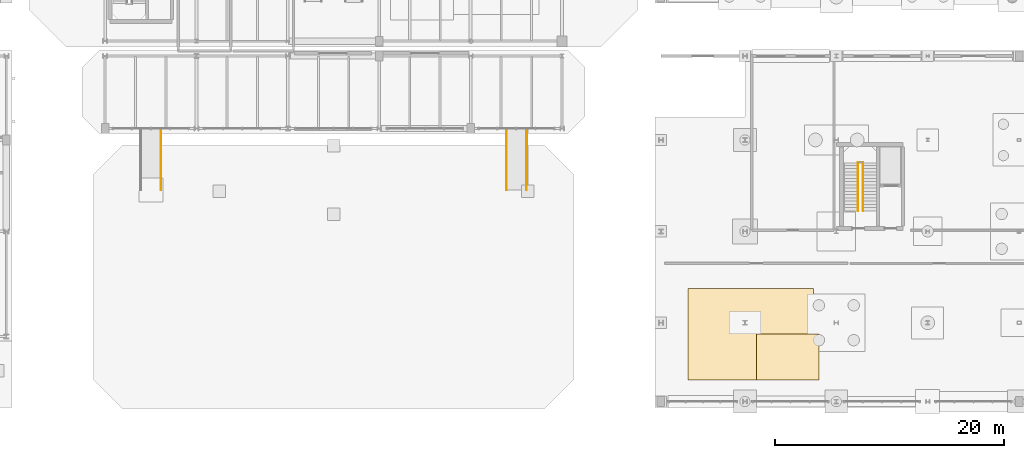
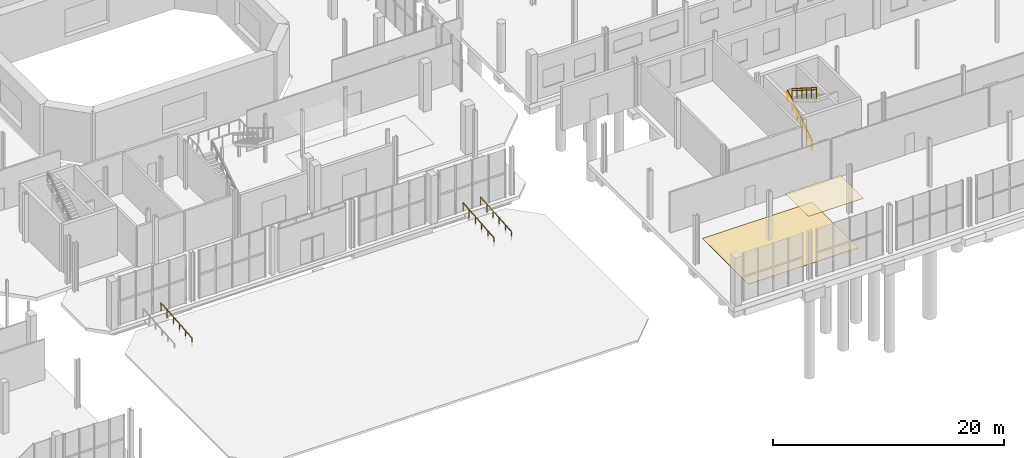
# One storey, part 81 of 87: 7 railings, 2 coverings.
"""IFC4 building model written with IfcOpenShell, lengths in metres."""

from ifc_helpers import new_model, si_unit, direction, frame, origin, origin_2d, place, context, subcontext, project, spatial, rectangle, circle, extrude, material, layer, layer_set, type_object, element, save


model = new_model("IFC4")

# Units and contexts
model_context = context("Model", 3, precision=1e-05, world=origin(), true_north=direction((0.0, 1.0)))
body_context = subcontext(model_context, "Body", "Model", "MODEL_VIEW")
ifc_project = project(units=[si_unit("LENGTHUNIT", "METRE"), si_unit("AREAUNIT", "SQUARE_METRE"), si_unit("VOLUMEUNIT", "CUBIC_METRE"), si_unit("PLANEANGLEUNIT", "RADIAN"), si_unit("MASSUNIT", "GRAM", prefix="KILO")], contexts=[model_context])

# Site, building, storey
site_placement = place(None, origin())
site = spatial("IfcSite", under=ifc_project, at=site_placement, CompositionType="ELEMENT")
building_placement = place(site_placement, origin())
building = spatial("IfcBuilding", under=site, at=building_placement, Name="Brisemont Oceanarium", CompositionType="ELEMENT")
storey_placement = place(building_placement, origin())
storey = spatial("IfcBuildingStorey", under=building, at=storey_placement, Name="L00", CompositionType="ELEMENT", Elevation=0.0)

# Coverings
ifc_material_1 = material(Name="Perforated Marine-Grade Acoustic Baffle Ceiling")
ifc_layer_1 = layer(ifc_material_1, 0.0400390625)
ifc_layer_set_1 = layer_set([ifc_layer_1], Name="Perforated Marine-Grade Acoustic Baffle Ceiling")
covering_type_1 = type_object("IfcCoveringType", Name="COV-CEIL-AC", PredefinedType="CEILING", material=ifc_layer_set_1)
covering_1_placement = place(storey_placement, frame((123.75, 5.0, 5.06005859375), z_axis=(0.0, 0.0, 1.0), x_axis=(1.0, 0.0, 0.0)))
element("IfcCovering", 1, at=covering_1_placement, inside=storey, type_object=covering_type_1, Name="Acoustic baffle ceiling CLG-V3-L00", PredefinedType="CEILING", context=body_context, shape_type="SweptSolid", body=[
    extrude(rectangle(XDim=5.5, YDim=4.0, at=origin_2d()), origin(), (0.0, 0.0, 1.0), 0.0400390625),
])
ifc_material_2 = material(Name="Epoxy-Bound Recycled Glass Marine Terrazzo", Category="glass")
ifc_layer_2 = layer(ifc_material_2, 0.02490234375)
ifc_layer_set_2 = layer_set([ifc_layer_2], Name="Epoxy-Bound Recycled Glass Marine Terrazzo")
covering_type_2 = type_object("IfcCoveringType", Name="COV-FLR-TER", PredefinedType="FLOORING", material=ifc_layer_set_2)
covering_2_placement = place(storey_placement, frame((120.5, 7.0, 0.0), z_axis=(0.0, 0.0, 1.0), x_axis=(1.0, 0.0, 0.0)))
element("IfcCovering", 2, at=covering_2_placement, inside=storey, type_object=covering_type_2, Name="Marine terrazzo flooring FLG-V3-FOYER", PredefinedType="FLOORING", context=body_context, shape_type="SweptSolid", body=[
    extrude(rectangle(XDim=11.0, YDim=8.0, at=origin_2d()), origin(), (0.0, 0.0, 1.0), 0.02490234375),
])

# Railings
ifc_material_3 = material(Name="Duplex Stainless Steel EN 1.4462", Category="steel")
railing_type_1 = type_object("IfcRailingType", Name="RLG-GUARD-1120", PredefinedType="GUARDRAIL", material=ifc_material_3)
railing_1_placement = place(storey_placement, frame((129.909912109375, 17.800048828125, 0.0)))
element("IfcRailing", 3, at=railing_1_placement, inside=storey, type_object=railing_type_1, Name="ST-04 L00 F1 well guard", PredefinedType="GUARDRAIL", context=body_context, shape_type="SweptSolid", body=[
    extrude(circle(Radius=0.02392578125, at=origin_2d()), frame((0.0, 0.0, 1.09619140625), z_axis=(0.0, 0.84407452441, 0.536225882666), x_axis=(-1.0, 0.0, 0.0)), (0.0, 0.0, 1.0), 5.03515625),
    extrude(circle(Radius=0.02099609375, at=origin_2d()), origin(), (0.0, 0.0, 1.0), 1.072021484375),
    extrude(circle(Radius=0.02099609375, at=origin_2d()), frame((0.0, 0.85009765625, 0.5400390625)), (0.0, 0.0, 1.0), 1.072021484375),
    extrude(circle(Radius=0.02099609375, at=origin_2d()), frame((0.0, 1.699951171875, 1.080078125)), (0.0, 0.0, 1.0), 1.072021484375),
    extrude(circle(Radius=0.02099609375, at=origin_2d()), frame((0.0, 2.550048828125, 1.619873046875)), (0.0, 0.0, 1.0), 1.072021484375),
    extrude(circle(Radius=0.02099609375, at=origin_2d()), frame((0.0, 3.39990234375, 2.159912109375)), (0.0, 0.0, 1.0), 1.072021484375),
    extrude(circle(Radius=0.02099609375, at=origin_2d()), frame((0.0, 4.25, 2.699951171875)), (0.0, 0.0, 1.0), 1.072021484375),
])
railing_2_placement = place(storey_placement, frame((130.35009765625, 22.050048828125, 2.699951171875)))
element("IfcRailing", 4, at=railing_2_placement, inside=storey, type_object=railing_type_1, Name="ST-04 L00 F2 well guard", PredefinedType="GUARDRAIL", context=body_context, shape_type="SweptSolid", body=[
    extrude(circle(Radius=0.02392578125, at=origin_2d()), frame((0.0, 0.0, 1.09619140625), z_axis=(0.0, -0.84407452441, 0.536225882666), x_axis=(1.0, 0.0, 0.0)), (0.0, 0.0, 1.0), 5.03515625),
    extrude(circle(Radius=0.02099609375, at=origin_2d()), origin(), (0.0, 0.0, 1.0), 1.072021484375),
    extrude(circle(Radius=0.02099609375, at=origin_2d()), frame((0.0, -0.85009765625, 0.5400390625)), (0.0, 0.0, 1.0), 1.072021484375),
    extrude(circle(Radius=0.02099609375, at=origin_2d()), frame((0.0, -1.699951171875, 1.080078125)), (0.0, 0.0, 1.0), 1.072021484375),
    extrude(circle(Radius=0.02099609375, at=origin_2d()), frame((0.0, -2.550048828125, 1.619873046875)), (0.0, 0.0, 1.0), 1.072021484375),
    extrude(circle(Radius=0.02099609375, at=origin_2d()), frame((0.0, -3.39990234375, 2.159912109375)), (0.0, 0.0, 1.0), 1.072021484375),
    extrude(circle(Radius=0.02099609375, at=origin_2d()), frame((0.0, -4.25, 2.699951171875)), (0.0, 0.0, 1.0), 1.072021484375),
])
ifc_material_4 = material(Name="Duplex Stainless Steel EN 1.4462", Category="steel")
railing_type_2 = type_object("IfcRailingType", Name="RLG-HAND-900", PredefinedType="HANDRAIL", material=ifc_material_4)
railing_3_placement = place(storey_placement, frame((129.909912109375, 17.800048828125, 0.0)))
element("IfcRailing", 5, at=railing_3_placement, inside=storey, type_object=railing_type_2, Name="ST-04 L00 F1 handrail", PredefinedType="HANDRAIL", context=body_context, shape_type="SweptSolid", body=[
    extrude(circle(Radius=0.02392578125, at=origin_2d()), frame((0.0, 0.0, 0.8759765625), z_axis=(0.0, 0.84407452441, 0.536225882666), x_axis=(-1.0, 0.0, 0.0)), (0.0, 0.0, 1.0), 5.03515625),
    extrude(circle(Radius=0.02099609375, at=origin_2d()), origin(), (0.0, 0.0, 1.0), 0.851806640625),
    extrude(circle(Radius=0.02099609375, at=origin_2d()), frame((0.0, 0.85009765625, 0.5400390625)), (0.0, 0.0, 1.0), 0.851806640625),
    extrude(circle(Radius=0.02099609375, at=origin_2d()), frame((0.0, 1.699951171875, 1.080078125)), (0.0, 0.0, 1.0), 0.851806640625),
    extrude(circle(Radius=0.02099609375, at=origin_2d()), frame((0.0, 2.550048828125, 1.619873046875)), (0.0, 0.0, 1.0), 0.851806640625),
    extrude(circle(Radius=0.02099609375, at=origin_2d()), frame((0.0, 3.39990234375, 2.159912109375)), (0.0, 0.0, 1.0), 0.851806640625),
    extrude(circle(Radius=0.02099609375, at=origin_2d()), frame((0.0, 4.25, 2.699951171875)), (0.0, 0.0, 1.0), 0.851806640625),
])
railing_4_placement = place(storey_placement, frame((130.35009765625, 22.050048828125, 2.699951171875)))
element("IfcRailing", 6, at=railing_4_placement, inside=storey, type_object=railing_type_2, Name="ST-04 L00 F2 handrail", PredefinedType="HANDRAIL", context=body_context, shape_type="SweptSolid", body=[
    extrude(circle(Radius=0.02392578125, at=origin_2d()), frame((0.0, 0.0, 0.8759765625), z_axis=(0.0, -0.84407452441, 0.536225882666), x_axis=(1.0, 0.0, 0.0)), (0.0, 0.0, 1.0), 5.03515625),
    extrude(circle(Radius=0.02099609375, at=origin_2d()), origin(), (0.0, 0.0, 1.0), 0.851806640625),
    extrude(circle(Radius=0.02099609375, at=origin_2d()), frame((0.0, -0.85009765625, 0.5400390625)), (0.0, 0.0, 1.0), 0.851806640625),
    extrude(circle(Radius=0.02099609375, at=origin_2d()), frame((0.0, -1.699951171875, 1.080078125)), (0.0, 0.0, 1.0), 0.851806640625),
    extrude(circle(Radius=0.02099609375, at=origin_2d()), frame((0.0, -2.550048828125, 1.619873046875)), (0.0, 0.0, 1.0), 0.851806640625),
    extrude(circle(Radius=0.02099609375, at=origin_2d()), frame((0.0, -3.39990234375, 2.159912109375)), (0.0, 0.0, 1.0), 0.851806640625),
    extrude(circle(Radius=0.02099609375, at=origin_2d()), frame((0.0, -4.25, 2.699951171875)), (0.0, 0.0, 1.0), 0.851806640625),
])
for number, where, name in (
    (7, (68.8798828125, 19.60009765625, -0.449951171875), "Ramp RMP-02 handrail L"),
    (8, (100.8798828125, 19.60009765625, -0.449951171875), "Ramp RMP-03 handrail L"),
    (9, (99.1201171875, 19.60009765625, -0.449951171875), "Ramp RMP-03 handrail R"),
):
    element("IfcRailing", number, at=place(storey_placement, frame(where)), inside=storey, type_object=railing_type_2, Name=name, PredefinedType="HANDRAIL", context=body_context, shape_type="SweptSolid", body=[
        extrude(circle(Radius=0.02392578125, at=origin_2d()), frame((0.0, 0.0, 0.8759765625), z_axis=(0.0, 0.996546379678, 0.083038022323), x_axis=(-1.0, 0.0, 0.0)), (0.0, 0.0, 1.0), 5.418701171875),
        extrude(circle(Radius=0.02099609375, at=origin_2d()), origin(), (0.0, 0.0, 1.0), 0.851806640625),
        extrude(circle(Radius=0.02099609375, at=origin_2d()), frame((0.0, 1.080078125, 0.090087890625)), (0.0, 0.0, 1.0), 0.851806640625),
        extrude(circle(Radius=0.02099609375, at=origin_2d()), frame((0.0, 2.159912109375, 0.179931640625)), (0.0, 0.0, 1.0), 0.851806640625),
        extrude(circle(Radius=0.02099609375, at=origin_2d()), frame((0.0, 3.239990234375, 0.27001953125)), (0.0, 0.0, 1.0), 0.851806640625),
        extrude(circle(Radius=0.02099609375, at=origin_2d()), frame((0.0, 4.31982421875, 0.35986328125)), (0.0, 0.0, 1.0), 0.851806640625),
        extrude(circle(Radius=0.02099609375, at=origin_2d()), frame((0.0, 5.39990234375, 0.449951171875)), (0.0, 0.0, 1.0), 0.851806640625),
    ])

save(model, "model.ifc")
